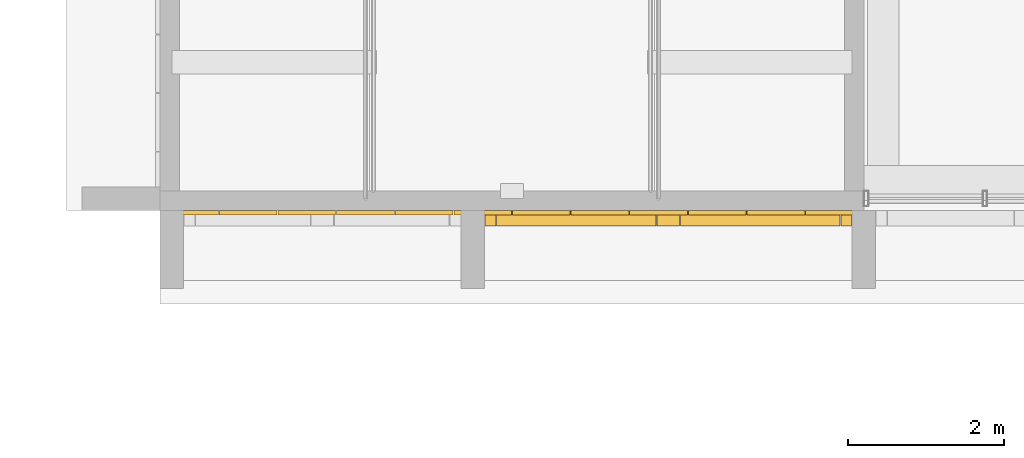
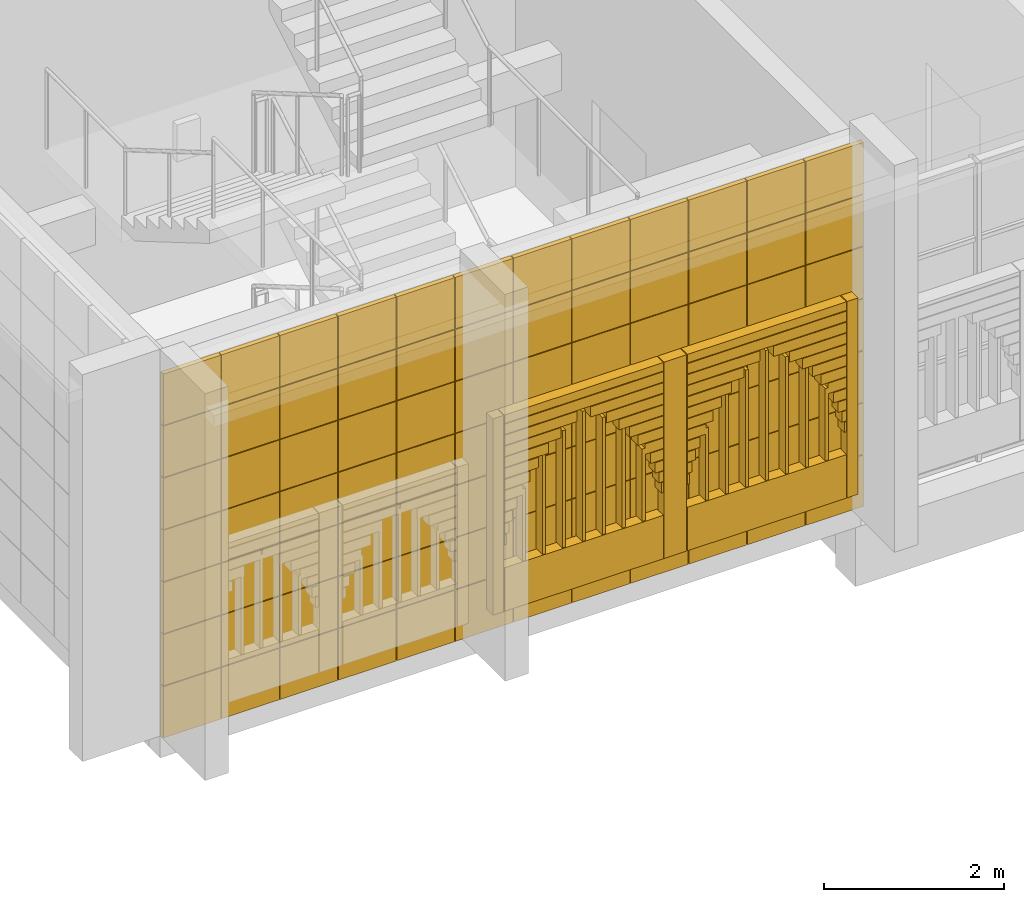
# One storey, part 108 of 125: 2 coverings.
"""IFC4 building model written with IfcOpenShell, lengths in metres."""

from ifc_helpers import new_model, si_unit, direction, frame, origin, origin_2d, place, context, subcontext, project, spatial, rectangle, extrude, material, layer, layer_set, type_object, element, save


model = new_model("IFC4")

# Units and contexts
model_context = context("Model", 3, precision=1e-05, world=origin(), true_north=direction((0.0, 1.0)))
body_context = subcontext(model_context, "Body", "Model", "MODEL_VIEW")
ifc_project = project(units=[si_unit("LENGTHUNIT", "METRE"), si_unit("AREAUNIT", "SQUARE_METRE"), si_unit("VOLUMEUNIT", "CUBIC_METRE"), si_unit("PLANEANGLEUNIT", "RADIAN"), si_unit("MASSUNIT", "GRAM", prefix="KILO")], contexts=[model_context])

# Site, building, storey
site_placement = place(None, origin())
site = spatial("IfcSite", under=ifc_project, at=site_placement, CompositionType="ELEMENT")
building_placement = place(site_placement, origin())
building = spatial("IfcBuilding", under=site, at=building_placement, Name="Sun Court Science Centre", CompositionType="ELEMENT")
storey_placement = place(building_placement, frame((0.0, 0.0, 6.0)))
storey = spatial("IfcBuildingStorey", under=building, at=storey_placement, Name="L01", CompositionType="ELEMENT", Elevation=6.0)

# Coverings
ifc_material_1 = material(Name="Red sandstone", Category="masonry")
ifc_layer_1 = layer(ifc_material_1, 0.199951171875)
ifc_layer_set_1 = layer_set([ifc_layer_1], Name="Red sandstone")
covering_type_1 = type_object("IfcCoveringType", Name="Arched jali screen 200", PredefinedType="CLADDING", material=ifc_layer_set_1)
covering_1_placement = place(storey_placement, frame((0.0, 0.0, -6.0)))
element("IfcCovering", 1, at=covering_1_placement, inside=storey, type_object=covering_type_1, Name="Arched jali screen south L01 02", PredefinedType="CLADDING", context=body_context, shape_type="SweptSolid", body=[
    extrude(rectangle(XDim=0.139892578125, YDim=0.199951171875, at=origin_2d()), frame((82.22509765625, 5.89990234375, 6.30517578125), z_axis=(0.0, 0.0, 1.0), x_axis=(1.0, 0.0, 0.0)), (0.0, 0.0, 1.0), 2.665283203125),
    extrude(rectangle(XDim=0.2900390625, YDim=0.199951171875, at=origin_2d()), frame((84.5, 5.89990234375, 6.30517578125), z_axis=(0.0, 0.0, 1.0), x_axis=(1.0, 0.0, 0.0)), (0.0, 0.0, 1.0), 2.665283203125),
    extrude(rectangle(XDim=0.139892578125, YDim=0.199951171875, at=origin_2d()), frame((86.77490234375, 5.89990234375, 6.30517578125), z_axis=(0.0, 0.0, 1.0), x_axis=(1.0, 0.0, 0.0)), (0.0, 0.0, 1.0), 2.665283203125),
    extrude(rectangle(XDim=2.0400390625, YDim=0.199951171875, at=origin_2d()), frame((83.324951171875, 5.89990234375, 6.30517578125), z_axis=(0.0, 0.0, 1.0), x_axis=(1.0, 0.0, 0.0)), (0.0, 0.0, 1.0), 0.590087890625),
    extrude(rectangle(XDim=0.024658203125, YDim=0.199951171875, at=origin_2d()), frame((82.3173828125, 5.89990234375, 7.205078125), z_axis=(0.0, 0.0, 1.0), x_axis=(1.0, 0.0, 0.0)), (0.0, 0.0, 1.0), 0.139892578125),
    extrude(rectangle(XDim=0.024658203125, YDim=0.199951171875, at=origin_2d()), frame((84.332763671875, 5.89990234375, 7.205078125), z_axis=(0.0, 0.0, 1.0), x_axis=(1.0, 0.0, 0.0)), (0.0, 0.0, 1.0), 0.139892578125),
    extrude(rectangle(XDim=0.058349609375, YDim=0.199951171875, at=origin_2d()), frame((82.334228515625, 5.89990234375, 7.35498046875), z_axis=(0.0, 0.0, 1.0), x_axis=(1.0, 0.0, 0.0)), (0.0, 0.0, 1.0), 0.139892578125),
    extrude(rectangle(XDim=0.058349609375, YDim=0.199951171875, at=origin_2d()), frame((84.31591796875, 5.89990234375, 7.35498046875), z_axis=(0.0, 0.0, 1.0), x_axis=(1.0, 0.0, 0.0)), (0.0, 0.0, 1.0), 0.139892578125),
    extrude(rectangle(XDim=0.104248046875, YDim=0.199951171875, at=origin_2d()), frame((82.357177734375, 5.89990234375, 7.5048828125), z_axis=(0.0, 0.0, 1.0), x_axis=(1.0, 0.0, 0.0)), (0.0, 0.0, 1.0), 0.139892578125),
    extrude(rectangle(XDim=0.104248046875, YDim=0.199951171875, at=origin_2d()), frame((84.292724609375, 5.89990234375, 7.5048828125), z_axis=(0.0, 0.0, 1.0), x_axis=(1.0, 0.0, 0.0)), (0.0, 0.0, 1.0), 0.139892578125),
    extrude(rectangle(XDim=0.163330078125, YDim=0.199951171875, at=origin_2d()), frame((82.38671875, 5.89990234375, 7.6552734375), z_axis=(0.0, 0.0, 1.0), x_axis=(1.0, 0.0, 0.0)), (0.0, 0.0, 1.0), 0.139892578125),
    extrude(rectangle(XDim=0.163330078125, YDim=0.199951171875, at=origin_2d()), frame((84.263427734375, 5.89990234375, 7.6552734375), z_axis=(0.0, 0.0, 1.0), x_axis=(1.0, 0.0, 0.0)), (0.0, 0.0, 1.0), 0.139892578125),
    extrude(rectangle(XDim=0.23681640625, YDim=0.199951171875, at=origin_2d()), frame((82.42333984375, 5.89990234375, 7.80517578125), z_axis=(0.0, 0.0, 1.0), x_axis=(1.0, 0.0, 0.0)), (0.0, 0.0, 1.0), 0.139892578125),
    extrude(rectangle(XDim=0.23681640625, YDim=0.199951171875, at=origin_2d()), frame((84.2265625, 5.89990234375, 7.80517578125), z_axis=(0.0, 0.0, 1.0), x_axis=(1.0, 0.0, 0.0)), (0.0, 0.0, 1.0), 0.139892578125),
    extrude(rectangle(XDim=0.326171875, YDim=0.199951171875, at=origin_2d()), frame((82.468017578125, 5.89990234375, 7.955078125), z_axis=(0.0, 0.0, 1.0), x_axis=(1.0, 0.0, 0.0)), (0.0, 0.0, 1.0), 0.139892578125),
    extrude(rectangle(XDim=0.326171875, YDim=0.199951171875, at=origin_2d()), frame((84.181884765625, 5.89990234375, 7.955078125), z_axis=(0.0, 0.0, 1.0), x_axis=(1.0, 0.0, 0.0)), (0.0, 0.0, 1.0), 0.139892578125),
    extrude(rectangle(XDim=0.434814453125, YDim=0.199951171875, at=origin_2d()), frame((82.5224609375, 5.89990234375, 8.10498046875), z_axis=(0.0, 0.0, 1.0), x_axis=(1.0, 0.0, 0.0)), (0.0, 0.0, 1.0), 0.139892578125),
    extrude(rectangle(XDim=0.434814453125, YDim=0.199951171875, at=origin_2d()), frame((84.127685546875, 5.89990234375, 8.10498046875), z_axis=(0.0, 0.0, 1.0), x_axis=(1.0, 0.0, 0.0)), (0.0, 0.0, 1.0), 0.139892578125),
    extrude(rectangle(XDim=0.566162109375, YDim=0.199951171875, at=origin_2d()), frame((82.588134765625, 5.89990234375, 8.2548828125), z_axis=(0.0, 0.0, 1.0), x_axis=(1.0, 0.0, 0.0)), (0.0, 0.0, 1.0), 0.139892578125),
    extrude(rectangle(XDim=0.566162109375, YDim=0.199951171875, at=origin_2d()), frame((84.061767578125, 5.89990234375, 8.2548828125), z_axis=(0.0, 0.0, 1.0), x_axis=(1.0, 0.0, 0.0)), (0.0, 0.0, 1.0), 0.139892578125),
    extrude(rectangle(XDim=0.727783203125, YDim=0.199951171875, at=origin_2d()), frame((82.6689453125, 5.89990234375, 8.4052734375), z_axis=(0.0, 0.0, 1.0), x_axis=(1.0, 0.0, 0.0)), (0.0, 0.0, 1.0), 0.139892578125),
    extrude(rectangle(XDim=0.727783203125, YDim=0.199951171875, at=origin_2d()), frame((83.981201171875, 5.89990234375, 8.4052734375), z_axis=(0.0, 0.0, 1.0), x_axis=(1.0, 0.0, 0.0)), (0.0, 0.0, 1.0), 0.139892578125),
    extrude(rectangle(XDim=0.932373046875, YDim=0.199951171875, at=origin_2d()), frame((82.771240234375, 5.89990234375, 8.55517578125), z_axis=(0.0, 0.0, 1.0), x_axis=(1.0, 0.0, 0.0)), (0.0, 0.0, 1.0), 0.139892578125),
    extrude(rectangle(XDim=0.932373046875, YDim=0.199951171875, at=origin_2d()), frame((83.87890625, 5.89990234375, 8.55517578125), z_axis=(0.0, 0.0, 1.0), x_axis=(1.0, 0.0, 0.0)), (0.0, 0.0, 1.0), 0.139892578125),
    extrude(rectangle(XDim=2.0400390625, YDim=0.199951171875, at=origin_2d()), frame((83.324951171875, 5.89990234375, 8.705078125), z_axis=(0.0, 0.0, 1.0), x_axis=(1.0, 0.0, 0.0)), (0.0, 0.0, 1.0), 0.139892578125),
    extrude(rectangle(XDim=2.0400390625, YDim=0.199951171875, at=origin_2d()), frame((83.324951171875, 5.89990234375, 8.85498046875), z_axis=(0.0, 0.0, 1.0), x_axis=(1.0, 0.0, 0.0)), (0.0, 0.0, 1.0), 0.115234375),
    extrude(rectangle(XDim=0.0400390625, YDim=0.199951171875, at=origin_2d()), frame((82.55615234375, 5.89990234375, 6.905029296875), z_axis=(0.0, 0.0, 1.0), x_axis=(1.0, 0.0, 0.0)), (0.0, 0.0, 1.0), 0.982421875),
    extrude(rectangle(XDim=0.0400390625, YDim=0.199951171875, at=origin_2d()), frame((82.8125, 5.89990234375, 6.90478515625), z_axis=(0.0, 0.0, 1.0), x_axis=(1.0, 0.0, 0.0)), (0.0, 0.0, 1.0), 1.345947265625),
    extrude(rectangle(XDim=0.0400390625, YDim=0.199951171875, at=origin_2d()), frame((83.06884765625, 5.89990234375, 6.905029296875), z_axis=(0.0, 0.0, 1.0), x_axis=(1.0, 0.0, 0.0)), (0.0, 0.0, 1.0), 1.59033203125),
    extrude(rectangle(XDim=0.0400390625, YDim=0.199951171875, at=origin_2d()), frame((83.324951171875, 5.89990234375, 6.90478515625), z_axis=(0.0, 0.0, 1.0), x_axis=(1.0, 0.0, 0.0)), (0.0, 0.0, 1.0), 1.765380859375),
    extrude(rectangle(XDim=0.0400390625, YDim=0.199951171875, at=origin_2d()), frame((83.581298828125, 5.89990234375, 6.905029296875), z_axis=(0.0, 0.0, 1.0), x_axis=(1.0, 0.0, 0.0)), (0.0, 0.0, 1.0), 1.59033203125),
    extrude(rectangle(XDim=0.0400390625, YDim=0.199951171875, at=origin_2d()), frame((83.83740234375, 5.89990234375, 6.90478515625), z_axis=(0.0, 0.0, 1.0), x_axis=(1.0, 0.0, 0.0)), (0.0, 0.0, 1.0), 1.345947265625),
    extrude(rectangle(XDim=0.0400390625, YDim=0.199951171875, at=origin_2d()), frame((84.09375, 5.89990234375, 6.905029296875), z_axis=(0.0, 0.0, 1.0), x_axis=(1.0, 0.0, 0.0)), (0.0, 0.0, 1.0), 0.982421875),
    extrude(rectangle(XDim=2.0400390625, YDim=0.199951171875, at=origin_2d()), frame((85.675048828125, 5.89990234375, 6.30517578125), z_axis=(0.0, 0.0, 1.0), x_axis=(1.0, 0.0, 0.0)), (0.0, 0.0, 1.0), 0.590087890625),
    extrude(rectangle(XDim=0.024658203125, YDim=0.199951171875, at=origin_2d()), frame((84.667236328125, 5.89990234375, 7.205078125), z_axis=(0.0, 0.0, 1.0), x_axis=(1.0, 0.0, 0.0)), (0.0, 0.0, 1.0), 0.139892578125),
    extrude(rectangle(XDim=0.024658203125, YDim=0.199951171875, at=origin_2d()), frame((86.6826171875, 5.89990234375, 7.205078125), z_axis=(0.0, 0.0, 1.0), x_axis=(1.0, 0.0, 0.0)), (0.0, 0.0, 1.0), 0.139892578125),
    extrude(rectangle(XDim=0.058349609375, YDim=0.199951171875, at=origin_2d()), frame((84.68408203125, 5.89990234375, 7.35498046875), z_axis=(0.0, 0.0, 1.0), x_axis=(1.0, 0.0, 0.0)), (0.0, 0.0, 1.0), 0.139892578125),
    extrude(rectangle(XDim=0.058349609375, YDim=0.199951171875, at=origin_2d()), frame((86.665771484375, 5.89990234375, 7.35498046875), z_axis=(0.0, 0.0, 1.0), x_axis=(1.0, 0.0, 0.0)), (0.0, 0.0, 1.0), 0.139892578125),
    extrude(rectangle(XDim=0.104248046875, YDim=0.199951171875, at=origin_2d()), frame((84.707275390625, 5.89990234375, 7.5048828125), z_axis=(0.0, 0.0, 1.0), x_axis=(1.0, 0.0, 0.0)), (0.0, 0.0, 1.0), 0.139892578125),
    extrude(rectangle(XDim=0.104248046875, YDim=0.199951171875, at=origin_2d()), frame((86.642822265625, 5.89990234375, 7.5048828125), z_axis=(0.0, 0.0, 1.0), x_axis=(1.0, 0.0, 0.0)), (0.0, 0.0, 1.0), 0.139892578125),
    extrude(rectangle(XDim=0.163330078125, YDim=0.199951171875, at=origin_2d()), frame((84.736572265625, 5.89990234375, 7.6552734375), z_axis=(0.0, 0.0, 1.0), x_axis=(1.0, 0.0, 0.0)), (0.0, 0.0, 1.0), 0.139892578125),
    extrude(rectangle(XDim=0.163330078125, YDim=0.199951171875, at=origin_2d()), frame((86.61328125, 5.89990234375, 7.6552734375), z_axis=(0.0, 0.0, 1.0), x_axis=(1.0, 0.0, 0.0)), (0.0, 0.0, 1.0), 0.139892578125),
    extrude(rectangle(XDim=0.23681640625, YDim=0.199951171875, at=origin_2d()), frame((84.7734375, 5.89990234375, 7.80517578125), z_axis=(0.0, 0.0, 1.0), x_axis=(1.0, 0.0, 0.0)), (0.0, 0.0, 1.0), 0.139892578125),
    extrude(rectangle(XDim=0.23681640625, YDim=0.199951171875, at=origin_2d()), frame((86.57666015625, 5.89990234375, 7.80517578125), z_axis=(0.0, 0.0, 1.0), x_axis=(1.0, 0.0, 0.0)), (0.0, 0.0, 1.0), 0.139892578125),
    extrude(rectangle(XDim=0.326171875, YDim=0.199951171875, at=origin_2d()), frame((84.818115234375, 5.89990234375, 7.955078125), z_axis=(0.0, 0.0, 1.0), x_axis=(1.0, 0.0, 0.0)), (0.0, 0.0, 1.0), 0.139892578125),
    extrude(rectangle(XDim=0.326171875, YDim=0.199951171875, at=origin_2d()), frame((86.531982421875, 5.89990234375, 7.955078125), z_axis=(0.0, 0.0, 1.0), x_axis=(1.0, 0.0, 0.0)), (0.0, 0.0, 1.0), 0.139892578125),
    extrude(rectangle(XDim=0.434814453125, YDim=0.199951171875, at=origin_2d()), frame((84.872314453125, 5.89990234375, 8.10498046875), z_axis=(0.0, 0.0, 1.0), x_axis=(1.0, 0.0, 0.0)), (0.0, 0.0, 1.0), 0.139892578125),
    extrude(rectangle(XDim=0.434814453125, YDim=0.199951171875, at=origin_2d()), frame((86.4775390625, 5.89990234375, 8.10498046875), z_axis=(0.0, 0.0, 1.0), x_axis=(1.0, 0.0, 0.0)), (0.0, 0.0, 1.0), 0.139892578125),
    extrude(rectangle(XDim=0.566162109375, YDim=0.199951171875, at=origin_2d()), frame((84.938232421875, 5.89990234375, 8.2548828125), z_axis=(0.0, 0.0, 1.0), x_axis=(1.0, 0.0, 0.0)), (0.0, 0.0, 1.0), 0.139892578125),
    extrude(rectangle(XDim=0.566162109375, YDim=0.199951171875, at=origin_2d()), frame((86.411865234375, 5.89990234375, 8.2548828125), z_axis=(0.0, 0.0, 1.0), x_axis=(1.0, 0.0, 0.0)), (0.0, 0.0, 1.0), 0.139892578125),
    extrude(rectangle(XDim=0.727783203125, YDim=0.199951171875, at=origin_2d()), frame((85.018798828125, 5.89990234375, 8.4052734375), z_axis=(0.0, 0.0, 1.0), x_axis=(1.0, 0.0, 0.0)), (0.0, 0.0, 1.0), 0.139892578125),
    extrude(rectangle(XDim=0.727783203125, YDim=0.199951171875, at=origin_2d()), frame((86.3310546875, 5.89990234375, 8.4052734375), z_axis=(0.0, 0.0, 1.0), x_axis=(1.0, 0.0, 0.0)), (0.0, 0.0, 1.0), 0.139892578125),
    extrude(rectangle(XDim=0.932373046875, YDim=0.199951171875, at=origin_2d()), frame((85.12109375, 5.89990234375, 8.55517578125), z_axis=(0.0, 0.0, 1.0), x_axis=(1.0, 0.0, 0.0)), (0.0, 0.0, 1.0), 0.139892578125),
    extrude(rectangle(XDim=0.932373046875, YDim=0.199951171875, at=origin_2d()), frame((86.228759765625, 5.89990234375, 8.55517578125), z_axis=(0.0, 0.0, 1.0), x_axis=(1.0, 0.0, 0.0)), (0.0, 0.0, 1.0), 0.139892578125),
    extrude(rectangle(XDim=2.0400390625, YDim=0.199951171875, at=origin_2d()), frame((85.675048828125, 5.89990234375, 8.705078125), z_axis=(0.0, 0.0, 1.0), x_axis=(1.0, 0.0, 0.0)), (0.0, 0.0, 1.0), 0.139892578125),
    extrude(rectangle(XDim=2.0400390625, YDim=0.199951171875, at=origin_2d()), frame((85.675048828125, 5.89990234375, 8.85498046875), z_axis=(0.0, 0.0, 1.0), x_axis=(1.0, 0.0, 0.0)), (0.0, 0.0, 1.0), 0.115234375),
    extrude(rectangle(XDim=0.0400390625, YDim=0.199951171875, at=origin_2d()), frame((84.90625, 5.89990234375, 6.905029296875), z_axis=(0.0, 0.0, 1.0), x_axis=(1.0, 0.0, 0.0)), (0.0, 0.0, 1.0), 0.982421875),
    extrude(rectangle(XDim=0.0400390625, YDim=0.199951171875, at=origin_2d()), frame((85.16259765625, 5.89990234375, 6.90478515625), z_axis=(0.0, 0.0, 1.0), x_axis=(1.0, 0.0, 0.0)), (0.0, 0.0, 1.0), 1.345947265625),
    extrude(rectangle(XDim=0.0400390625, YDim=0.199951171875, at=origin_2d()), frame((85.418701171875, 5.89990234375, 6.905029296875), z_axis=(0.0, 0.0, 1.0), x_axis=(1.0, 0.0, 0.0)), (0.0, 0.0, 1.0), 1.59033203125),
    extrude(rectangle(XDim=0.0400390625, YDim=0.199951171875, at=origin_2d()), frame((85.675048828125, 5.89990234375, 6.90478515625), z_axis=(0.0, 0.0, 1.0), x_axis=(1.0, 0.0, 0.0)), (0.0, 0.0, 1.0), 1.765380859375),
    extrude(rectangle(XDim=0.0400390625, YDim=0.199951171875, at=origin_2d()), frame((85.93115234375, 5.89990234375, 6.905029296875), z_axis=(0.0, 0.0, 1.0), x_axis=(1.0, 0.0, 0.0)), (0.0, 0.0, 1.0), 1.59033203125),
    extrude(rectangle(XDim=0.0400390625, YDim=0.199951171875, at=origin_2d()), frame((86.1875, 5.89990234375, 6.90478515625), z_axis=(0.0, 0.0, 1.0), x_axis=(1.0, 0.0, 0.0)), (0.0, 0.0, 1.0), 1.345947265625),
    extrude(rectangle(XDim=0.0400390625, YDim=0.199951171875, at=origin_2d()), frame((86.44384765625, 5.89990234375, 6.905029296875), z_axis=(0.0, 0.0, 1.0), x_axis=(1.0, 0.0, 0.0)), (0.0, 0.0, 1.0), 0.982421875),
])
ifc_material_2 = material(Name="Red sandstone", Category="masonry")
ifc_layer_2 = layer(ifc_material_2, 0.06005859375)
ifc_layer_set_2 = layer_set([ifc_layer_2], Name="Red sandstone")
covering_type_2 = type_object("IfcCoveringType", Name="Red sandstone wall cladding 750", PredefinedType="CLADDING", material=ifc_layer_set_2)
covering_2_placement = place(storey_placement, frame((0.0, 0.0, -6.0)))
element("IfcCovering", 2, at=covering_2_placement, inside=storey, type_object=covering_type_2, Name="Red sandstone wall cladding south face L01", PredefinedType="CLADDING", context=body_context, shape_type="SweptSolid", body=[
    extrude(rectangle(XDim=0.739990234375, YDim=0.06005859375, at=origin_2d()), frame((86.625, 5.969970703125, 6.0048828125), z_axis=(0.0, 0.0, 1.0), x_axis=(-1.0, 0.0, 0.0)), (0.0, 0.0, 1.0), 0.697021484375),
    extrude(rectangle(XDim=0.739990234375, YDim=0.06005859375, at=origin_2d()), frame((85.875, 5.969970703125, 6.0048828125), z_axis=(0.0, 0.0, 1.0), x_axis=(-1.0, 0.0, 0.0)), (0.0, 0.0, 1.0), 0.697021484375),
    extrude(rectangle(XDim=0.739990234375, YDim=0.06005859375, at=origin_2d()), frame((85.125, 5.969970703125, 6.0048828125), z_axis=(0.0, 0.0, 1.0), x_axis=(-1.0, 0.0, 0.0)), (0.0, 0.0, 1.0), 0.697021484375),
    extrude(rectangle(XDim=0.739990234375, YDim=0.06005859375, at=origin_2d()), frame((84.375, 5.969970703125, 6.0048828125), z_axis=(0.0, 0.0, 1.0), x_axis=(-1.0, 0.0, 0.0)), (0.0, 0.0, 1.0), 0.697021484375),
    extrude(rectangle(XDim=0.739990234375, YDim=0.06005859375, at=origin_2d()), frame((83.625, 5.969970703125, 6.0048828125), z_axis=(0.0, 0.0, 1.0), x_axis=(-1.0, 0.0, 0.0)), (0.0, 0.0, 1.0), 0.697021484375),
    extrude(rectangle(XDim=0.739990234375, YDim=0.06005859375, at=origin_2d()), frame((82.875, 5.969970703125, 6.0048828125), z_axis=(0.0, 0.0, 1.0), x_axis=(-1.0, 0.0, 0.0)), (0.0, 0.0, 1.0), 0.697021484375),
    extrude(rectangle(XDim=0.739990234375, YDim=0.06005859375, at=origin_2d()), frame((82.125, 5.969970703125, 6.0048828125), z_axis=(0.0, 0.0, 1.0), x_axis=(-1.0, 0.0, 0.0)), (0.0, 0.0, 1.0), 0.697021484375),
    extrude(rectangle(XDim=0.739990234375, YDim=0.06005859375, at=origin_2d()), frame((81.375, 5.969970703125, 6.0048828125), z_axis=(0.0, 0.0, 1.0), x_axis=(-1.0, 0.0, 0.0)), (0.0, 0.0, 1.0), 0.697021484375),
    extrude(rectangle(XDim=0.739990234375, YDim=0.06005859375, at=origin_2d()), frame((80.625, 5.969970703125, 6.0048828125), z_axis=(0.0, 0.0, 1.0), x_axis=(-1.0, 0.0, 0.0)), (0.0, 0.0, 1.0), 0.697021484375),
    extrude(rectangle(XDim=0.739990234375, YDim=0.06005859375, at=origin_2d()), frame((79.875, 5.969970703125, 6.0048828125), z_axis=(0.0, 0.0, 1.0), x_axis=(-1.0, 0.0, 0.0)), (0.0, 0.0, 1.0), 0.697021484375),
    extrude(rectangle(XDim=0.739990234375, YDim=0.06005859375, at=origin_2d()), frame((79.125, 5.969970703125, 6.0048828125), z_axis=(0.0, 0.0, 1.0), x_axis=(-1.0, 0.0, 0.0)), (0.0, 0.0, 1.0), 0.697021484375),
    extrude(rectangle(XDim=0.739990234375, YDim=0.06005859375, at=origin_2d()), frame((78.375, 5.969970703125, 6.0048828125), z_axis=(0.0, 0.0, 1.0), x_axis=(-1.0, 0.0, 0.0)), (0.0, 0.0, 1.0), 0.697021484375),
    extrude(rectangle(XDim=0.739990234375, YDim=0.06005859375, at=origin_2d()), frame((86.625, 5.969970703125, 6.71240234375), z_axis=(0.0, 0.0, 1.0), x_axis=(-1.0, 0.0, 0.0)), (0.0, 0.0, 1.0), 0.697021484375),
    extrude(rectangle(XDim=0.739990234375, YDim=0.06005859375, at=origin_2d()), frame((85.875, 5.969970703125, 6.71240234375), z_axis=(0.0, 0.0, 1.0), x_axis=(-1.0, 0.0, 0.0)), (0.0, 0.0, 1.0), 0.697021484375),
    extrude(rectangle(XDim=0.739990234375, YDim=0.06005859375, at=origin_2d()), frame((85.125, 5.969970703125, 6.71240234375), z_axis=(0.0, 0.0, 1.0), x_axis=(-1.0, 0.0, 0.0)), (0.0, 0.0, 1.0), 0.697021484375),
    extrude(rectangle(XDim=0.739990234375, YDim=0.06005859375, at=origin_2d()), frame((84.375, 5.969970703125, 6.71240234375), z_axis=(0.0, 0.0, 1.0), x_axis=(-1.0, 0.0, 0.0)), (0.0, 0.0, 1.0), 0.697021484375),
    extrude(rectangle(XDim=0.739990234375, YDim=0.06005859375, at=origin_2d()), frame((83.625, 5.969970703125, 6.71240234375), z_axis=(0.0, 0.0, 1.0), x_axis=(-1.0, 0.0, 0.0)), (0.0, 0.0, 1.0), 0.697021484375),
    extrude(rectangle(XDim=0.739990234375, YDim=0.06005859375, at=origin_2d()), frame((82.875, 5.969970703125, 6.71240234375), z_axis=(0.0, 0.0, 1.0), x_axis=(-1.0, 0.0, 0.0)), (0.0, 0.0, 1.0), 0.697021484375),
    extrude(rectangle(XDim=0.739990234375, YDim=0.06005859375, at=origin_2d()), frame((82.125, 5.969970703125, 6.71240234375), z_axis=(0.0, 0.0, 1.0), x_axis=(-1.0, 0.0, 0.0)), (0.0, 0.0, 1.0), 0.697021484375),
    extrude(rectangle(XDim=0.739990234375, YDim=0.06005859375, at=origin_2d()), frame((81.375, 5.969970703125, 6.71240234375), z_axis=(0.0, 0.0, 1.0), x_axis=(-1.0, 0.0, 0.0)), (0.0, 0.0, 1.0), 0.697021484375),
    extrude(rectangle(XDim=0.739990234375, YDim=0.06005859375, at=origin_2d()), frame((80.625, 5.969970703125, 6.71240234375), z_axis=(0.0, 0.0, 1.0), x_axis=(-1.0, 0.0, 0.0)), (0.0, 0.0, 1.0), 0.697021484375),
    extrude(rectangle(XDim=0.739990234375, YDim=0.06005859375, at=origin_2d()), frame((79.875, 5.969970703125, 6.71240234375), z_axis=(0.0, 0.0, 1.0), x_axis=(-1.0, 0.0, 0.0)), (0.0, 0.0, 1.0), 0.697021484375),
    extrude(rectangle(XDim=0.739990234375, YDim=0.06005859375, at=origin_2d()), frame((79.125, 5.969970703125, 6.71240234375), z_axis=(0.0, 0.0, 1.0), x_axis=(-1.0, 0.0, 0.0)), (0.0, 0.0, 1.0), 0.697021484375),
    extrude(rectangle(XDim=0.739990234375, YDim=0.06005859375, at=origin_2d()), frame((78.375, 5.969970703125, 6.71240234375), z_axis=(0.0, 0.0, 1.0), x_axis=(-1.0, 0.0, 0.0)), (0.0, 0.0, 1.0), 0.697021484375),
    extrude(rectangle(XDim=0.739990234375, YDim=0.06005859375, at=origin_2d()), frame((86.625, 5.969970703125, 7.41943359375), z_axis=(0.0, 0.0, 1.0), x_axis=(-1.0, 0.0, 0.0)), (0.0, 0.0, 1.0), 0.697021484375),
    extrude(rectangle(XDim=0.739990234375, YDim=0.06005859375, at=origin_2d()), frame((85.875, 5.969970703125, 7.41943359375), z_axis=(0.0, 0.0, 1.0), x_axis=(-1.0, 0.0, 0.0)), (0.0, 0.0, 1.0), 0.697021484375),
    extrude(rectangle(XDim=0.739990234375, YDim=0.06005859375, at=origin_2d()), frame((85.125, 5.969970703125, 7.41943359375), z_axis=(0.0, 0.0, 1.0), x_axis=(-1.0, 0.0, 0.0)), (0.0, 0.0, 1.0), 0.697021484375),
    extrude(rectangle(XDim=0.739990234375, YDim=0.06005859375, at=origin_2d()), frame((84.375, 5.969970703125, 7.41943359375), z_axis=(0.0, 0.0, 1.0), x_axis=(-1.0, 0.0, 0.0)), (0.0, 0.0, 1.0), 0.697021484375),
    extrude(rectangle(XDim=0.739990234375, YDim=0.06005859375, at=origin_2d()), frame((83.625, 5.969970703125, 7.41943359375), z_axis=(0.0, 0.0, 1.0), x_axis=(-1.0, 0.0, 0.0)), (0.0, 0.0, 1.0), 0.697021484375),
    extrude(rectangle(XDim=0.739990234375, YDim=0.06005859375, at=origin_2d()), frame((82.875, 5.969970703125, 7.41943359375), z_axis=(0.0, 0.0, 1.0), x_axis=(-1.0, 0.0, 0.0)), (0.0, 0.0, 1.0), 0.697021484375),
    extrude(rectangle(XDim=0.739990234375, YDim=0.06005859375, at=origin_2d()), frame((82.125, 5.969970703125, 7.41943359375), z_axis=(0.0, 0.0, 1.0), x_axis=(-1.0, 0.0, 0.0)), (0.0, 0.0, 1.0), 0.697021484375),
    extrude(rectangle(XDim=0.739990234375, YDim=0.06005859375, at=origin_2d()), frame((81.375, 5.969970703125, 7.41943359375), z_axis=(0.0, 0.0, 1.0), x_axis=(-1.0, 0.0, 0.0)), (0.0, 0.0, 1.0), 0.697021484375),
    extrude(rectangle(XDim=0.739990234375, YDim=0.06005859375, at=origin_2d()), frame((80.625, 5.969970703125, 7.41943359375), z_axis=(0.0, 0.0, 1.0), x_axis=(-1.0, 0.0, 0.0)), (0.0, 0.0, 1.0), 0.697021484375),
    extrude(rectangle(XDim=0.739990234375, YDim=0.06005859375, at=origin_2d()), frame((79.875, 5.969970703125, 7.41943359375), z_axis=(0.0, 0.0, 1.0), x_axis=(-1.0, 0.0, 0.0)), (0.0, 0.0, 1.0), 0.697021484375),
    extrude(rectangle(XDim=0.739990234375, YDim=0.06005859375, at=origin_2d()), frame((79.125, 5.969970703125, 7.41943359375), z_axis=(0.0, 0.0, 1.0), x_axis=(-1.0, 0.0, 0.0)), (0.0, 0.0, 1.0), 0.697021484375),
    extrude(rectangle(XDim=0.739990234375, YDim=0.06005859375, at=origin_2d()), frame((78.375, 5.969970703125, 7.41943359375), z_axis=(0.0, 0.0, 1.0), x_axis=(-1.0, 0.0, 0.0)), (0.0, 0.0, 1.0), 0.697021484375),
    extrude(rectangle(XDim=0.739990234375, YDim=0.06005859375, at=origin_2d()), frame((86.625, 5.969970703125, 8.12646484375), z_axis=(0.0, 0.0, 1.0), x_axis=(-1.0, 0.0, 0.0)), (0.0, 0.0, 1.0), 0.697021484375),
    extrude(rectangle(XDim=0.739990234375, YDim=0.06005859375, at=origin_2d()), frame((85.875, 5.969970703125, 8.12646484375), z_axis=(0.0, 0.0, 1.0), x_axis=(-1.0, 0.0, 0.0)), (0.0, 0.0, 1.0), 0.697021484375),
    extrude(rectangle(XDim=0.739990234375, YDim=0.06005859375, at=origin_2d()), frame((85.125, 5.969970703125, 8.12646484375), z_axis=(0.0, 0.0, 1.0), x_axis=(-1.0, 0.0, 0.0)), (0.0, 0.0, 1.0), 0.697021484375),
    extrude(rectangle(XDim=0.739990234375, YDim=0.06005859375, at=origin_2d()), frame((84.375, 5.969970703125, 8.12646484375), z_axis=(0.0, 0.0, 1.0), x_axis=(-1.0, 0.0, 0.0)), (0.0, 0.0, 1.0), 0.697021484375),
    extrude(rectangle(XDim=0.739990234375, YDim=0.06005859375, at=origin_2d()), frame((83.625, 5.969970703125, 8.12646484375), z_axis=(0.0, 0.0, 1.0), x_axis=(-1.0, 0.0, 0.0)), (0.0, 0.0, 1.0), 0.697021484375),
    extrude(rectangle(XDim=0.739990234375, YDim=0.06005859375, at=origin_2d()), frame((82.875, 5.969970703125, 8.12646484375), z_axis=(0.0, 0.0, 1.0), x_axis=(-1.0, 0.0, 0.0)), (0.0, 0.0, 1.0), 0.697021484375),
    extrude(rectangle(XDim=0.739990234375, YDim=0.06005859375, at=origin_2d()), frame((82.125, 5.969970703125, 8.12646484375), z_axis=(0.0, 0.0, 1.0), x_axis=(-1.0, 0.0, 0.0)), (0.0, 0.0, 1.0), 0.697021484375),
    extrude(rectangle(XDim=0.739990234375, YDim=0.06005859375, at=origin_2d()), frame((81.375, 5.969970703125, 8.12646484375), z_axis=(0.0, 0.0, 1.0), x_axis=(-1.0, 0.0, 0.0)), (0.0, 0.0, 1.0), 0.697021484375),
    extrude(rectangle(XDim=0.739990234375, YDim=0.06005859375, at=origin_2d()), frame((80.625, 5.969970703125, 8.12646484375), z_axis=(0.0, 0.0, 1.0), x_axis=(-1.0, 0.0, 0.0)), (0.0, 0.0, 1.0), 0.697021484375),
    extrude(rectangle(XDim=0.739990234375, YDim=0.06005859375, at=origin_2d()), frame((79.875, 5.969970703125, 8.12646484375), z_axis=(0.0, 0.0, 1.0), x_axis=(-1.0, 0.0, 0.0)), (0.0, 0.0, 1.0), 0.697021484375),
    extrude(rectangle(XDim=0.739990234375, YDim=0.06005859375, at=origin_2d()), frame((79.125, 5.969970703125, 8.12646484375), z_axis=(0.0, 0.0, 1.0), x_axis=(-1.0, 0.0, 0.0)), (0.0, 0.0, 1.0), 0.697021484375),
    extrude(rectangle(XDim=0.739990234375, YDim=0.06005859375, at=origin_2d()), frame((78.375, 5.969970703125, 8.12646484375), z_axis=(0.0, 0.0, 1.0), x_axis=(-1.0, 0.0, 0.0)), (0.0, 0.0, 1.0), 0.697021484375),
    extrude(rectangle(XDim=0.739990234375, YDim=0.06005859375, at=origin_2d()), frame((86.625, 5.969970703125, 8.83349609375), z_axis=(0.0, 0.0, 1.0), x_axis=(-1.0, 0.0, 0.0)), (0.0, 0.0, 1.0), 0.697021484375),
    extrude(rectangle(XDim=0.739990234375, YDim=0.06005859375, at=origin_2d()), frame((85.875, 5.969970703125, 8.83349609375), z_axis=(0.0, 0.0, 1.0), x_axis=(-1.0, 0.0, 0.0)), (0.0, 0.0, 1.0), 0.697021484375),
    extrude(rectangle(XDim=0.739990234375, YDim=0.06005859375, at=origin_2d()), frame((85.125, 5.969970703125, 8.83349609375), z_axis=(0.0, 0.0, 1.0), x_axis=(-1.0, 0.0, 0.0)), (0.0, 0.0, 1.0), 0.697021484375),
    extrude(rectangle(XDim=0.739990234375, YDim=0.06005859375, at=origin_2d()), frame((84.375, 5.969970703125, 8.83349609375), z_axis=(0.0, 0.0, 1.0), x_axis=(-1.0, 0.0, 0.0)), (0.0, 0.0, 1.0), 0.697021484375),
    extrude(rectangle(XDim=0.739990234375, YDim=0.06005859375, at=origin_2d()), frame((83.625, 5.969970703125, 8.83349609375), z_axis=(0.0, 0.0, 1.0), x_axis=(-1.0, 0.0, 0.0)), (0.0, 0.0, 1.0), 0.697021484375),
    extrude(rectangle(XDim=0.739990234375, YDim=0.06005859375, at=origin_2d()), frame((82.875, 5.969970703125, 8.83349609375), z_axis=(0.0, 0.0, 1.0), x_axis=(-1.0, 0.0, 0.0)), (0.0, 0.0, 1.0), 0.697021484375),
    extrude(rectangle(XDim=0.739990234375, YDim=0.06005859375, at=origin_2d()), frame((82.125, 5.969970703125, 8.83349609375), z_axis=(0.0, 0.0, 1.0), x_axis=(-1.0, 0.0, 0.0)), (0.0, 0.0, 1.0), 0.697021484375),
    extrude(rectangle(XDim=0.739990234375, YDim=0.06005859375, at=origin_2d()), frame((81.375, 5.969970703125, 8.83349609375), z_axis=(0.0, 0.0, 1.0), x_axis=(-1.0, 0.0, 0.0)), (0.0, 0.0, 1.0), 0.697021484375),
    extrude(rectangle(XDim=0.739990234375, YDim=0.06005859375, at=origin_2d()), frame((80.625, 5.969970703125, 8.83349609375), z_axis=(0.0, 0.0, 1.0), x_axis=(-1.0, 0.0, 0.0)), (0.0, 0.0, 1.0), 0.697021484375),
    extrude(rectangle(XDim=0.739990234375, YDim=0.06005859375, at=origin_2d()), frame((79.875, 5.969970703125, 8.83349609375), z_axis=(0.0, 0.0, 1.0), x_axis=(-1.0, 0.0, 0.0)), (0.0, 0.0, 1.0), 0.697021484375),
    extrude(rectangle(XDim=0.739990234375, YDim=0.06005859375, at=origin_2d()), frame((79.125, 5.969970703125, 8.83349609375), z_axis=(0.0, 0.0, 1.0), x_axis=(-1.0, 0.0, 0.0)), (0.0, 0.0, 1.0), 0.697021484375),
    extrude(rectangle(XDim=0.739990234375, YDim=0.06005859375, at=origin_2d()), frame((78.375, 5.969970703125, 8.83349609375), z_axis=(0.0, 0.0, 1.0), x_axis=(-1.0, 0.0, 0.0)), (0.0, 0.0, 1.0), 0.697021484375),
    extrude(rectangle(XDim=0.739990234375, YDim=0.06005859375, at=origin_2d()), frame((86.625, 5.969970703125, 9.541015625), z_axis=(0.0, 0.0, 1.0), x_axis=(-1.0, 0.0, 0.0)), (0.0, 0.0, 1.0), 0.697021484375),
    extrude(rectangle(XDim=0.739990234375, YDim=0.06005859375, at=origin_2d()), frame((85.875, 5.969970703125, 9.541015625), z_axis=(0.0, 0.0, 1.0), x_axis=(-1.0, 0.0, 0.0)), (0.0, 0.0, 1.0), 0.697021484375),
    extrude(rectangle(XDim=0.739990234375, YDim=0.06005859375, at=origin_2d()), frame((85.125, 5.969970703125, 9.541015625), z_axis=(0.0, 0.0, 1.0), x_axis=(-1.0, 0.0, 0.0)), (0.0, 0.0, 1.0), 0.697021484375),
    extrude(rectangle(XDim=0.739990234375, YDim=0.06005859375, at=origin_2d()), frame((84.375, 5.969970703125, 9.541015625), z_axis=(0.0, 0.0, 1.0), x_axis=(-1.0, 0.0, 0.0)), (0.0, 0.0, 1.0), 0.697021484375),
    extrude(rectangle(XDim=0.739990234375, YDim=0.06005859375, at=origin_2d()), frame((83.625, 5.969970703125, 9.541015625), z_axis=(0.0, 0.0, 1.0), x_axis=(-1.0, 0.0, 0.0)), (0.0, 0.0, 1.0), 0.697021484375),
    extrude(rectangle(XDim=0.739990234375, YDim=0.06005859375, at=origin_2d()), frame((82.875, 5.969970703125, 9.541015625), z_axis=(0.0, 0.0, 1.0), x_axis=(-1.0, 0.0, 0.0)), (0.0, 0.0, 1.0), 0.697021484375),
    extrude(rectangle(XDim=0.739990234375, YDim=0.06005859375, at=origin_2d()), frame((82.125, 5.969970703125, 9.541015625), z_axis=(0.0, 0.0, 1.0), x_axis=(-1.0, 0.0, 0.0)), (0.0, 0.0, 1.0), 0.697021484375),
    extrude(rectangle(XDim=0.739990234375, YDim=0.06005859375, at=origin_2d()), frame((81.375, 5.969970703125, 9.541015625), z_axis=(0.0, 0.0, 1.0), x_axis=(-1.0, 0.0, 0.0)), (0.0, 0.0, 1.0), 0.697021484375),
    extrude(rectangle(XDim=0.739990234375, YDim=0.06005859375, at=origin_2d()), frame((80.625, 5.969970703125, 9.541015625), z_axis=(0.0, 0.0, 1.0), x_axis=(-1.0, 0.0, 0.0)), (0.0, 0.0, 1.0), 0.697021484375),
    extrude(rectangle(XDim=0.739990234375, YDim=0.06005859375, at=origin_2d()), frame((79.875, 5.969970703125, 9.541015625), z_axis=(0.0, 0.0, 1.0), x_axis=(-1.0, 0.0, 0.0)), (0.0, 0.0, 1.0), 0.697021484375),
    extrude(rectangle(XDim=0.739990234375, YDim=0.06005859375, at=origin_2d()), frame((79.125, 5.969970703125, 9.541015625), z_axis=(0.0, 0.0, 1.0), x_axis=(-1.0, 0.0, 0.0)), (0.0, 0.0, 1.0), 0.697021484375),
    extrude(rectangle(XDim=0.739990234375, YDim=0.06005859375, at=origin_2d()), frame((78.375, 5.969970703125, 9.541015625), z_axis=(0.0, 0.0, 1.0), x_axis=(-1.0, 0.0, 0.0)), (0.0, 0.0, 1.0), 0.697021484375),
    extrude(rectangle(XDim=0.739990234375, YDim=0.06005859375, at=origin_2d()), frame((86.625, 5.969970703125, 10.248046875), z_axis=(0.0, 0.0, 1.0), x_axis=(-1.0, 0.0, 0.0)), (0.0, 0.0, 1.0), 0.697021484375),
    extrude(rectangle(XDim=0.739990234375, YDim=0.06005859375, at=origin_2d()), frame((85.875, 5.969970703125, 10.248046875), z_axis=(0.0, 0.0, 1.0), x_axis=(-1.0, 0.0, 0.0)), (0.0, 0.0, 1.0), 0.697021484375),
    extrude(rectangle(XDim=0.739990234375, YDim=0.06005859375, at=origin_2d()), frame((85.125, 5.969970703125, 10.248046875), z_axis=(0.0, 0.0, 1.0), x_axis=(-1.0, 0.0, 0.0)), (0.0, 0.0, 1.0), 0.697021484375),
    extrude(rectangle(XDim=0.739990234375, YDim=0.06005859375, at=origin_2d()), frame((84.375, 5.969970703125, 10.248046875), z_axis=(0.0, 0.0, 1.0), x_axis=(-1.0, 0.0, 0.0)), (0.0, 0.0, 1.0), 0.697021484375),
    extrude(rectangle(XDim=0.739990234375, YDim=0.06005859375, at=origin_2d()), frame((83.625, 5.969970703125, 10.248046875), z_axis=(0.0, 0.0, 1.0), x_axis=(-1.0, 0.0, 0.0)), (0.0, 0.0, 1.0), 0.697021484375),
    extrude(rectangle(XDim=0.739990234375, YDim=0.06005859375, at=origin_2d()), frame((82.875, 5.969970703125, 10.248046875), z_axis=(0.0, 0.0, 1.0), x_axis=(-1.0, 0.0, 0.0)), (0.0, 0.0, 1.0), 0.697021484375),
    extrude(rectangle(XDim=0.739990234375, YDim=0.06005859375, at=origin_2d()), frame((82.125, 5.969970703125, 10.248046875), z_axis=(0.0, 0.0, 1.0), x_axis=(-1.0, 0.0, 0.0)), (0.0, 0.0, 1.0), 0.697021484375),
    extrude(rectangle(XDim=0.739990234375, YDim=0.06005859375, at=origin_2d()), frame((81.375, 5.969970703125, 10.248046875), z_axis=(0.0, 0.0, 1.0), x_axis=(-1.0, 0.0, 0.0)), (0.0, 0.0, 1.0), 0.697021484375),
    extrude(rectangle(XDim=0.739990234375, YDim=0.06005859375, at=origin_2d()), frame((80.625, 5.969970703125, 10.248046875), z_axis=(0.0, 0.0, 1.0), x_axis=(-1.0, 0.0, 0.0)), (0.0, 0.0, 1.0), 0.697021484375),
    extrude(rectangle(XDim=0.739990234375, YDim=0.06005859375, at=origin_2d()), frame((79.875, 5.969970703125, 10.248046875), z_axis=(0.0, 0.0, 1.0), x_axis=(-1.0, 0.0, 0.0)), (0.0, 0.0, 1.0), 0.697021484375),
    extrude(rectangle(XDim=0.739990234375, YDim=0.06005859375, at=origin_2d()), frame((79.125, 5.969970703125, 10.248046875), z_axis=(0.0, 0.0, 1.0), x_axis=(-1.0, 0.0, 0.0)), (0.0, 0.0, 1.0), 0.697021484375),
    extrude(rectangle(XDim=0.739990234375, YDim=0.06005859375, at=origin_2d()), frame((78.375, 5.969970703125, 10.248046875), z_axis=(0.0, 0.0, 1.0), x_axis=(-1.0, 0.0, 0.0)), (0.0, 0.0, 1.0), 0.697021484375),
])

save(model, "model.ifc")
